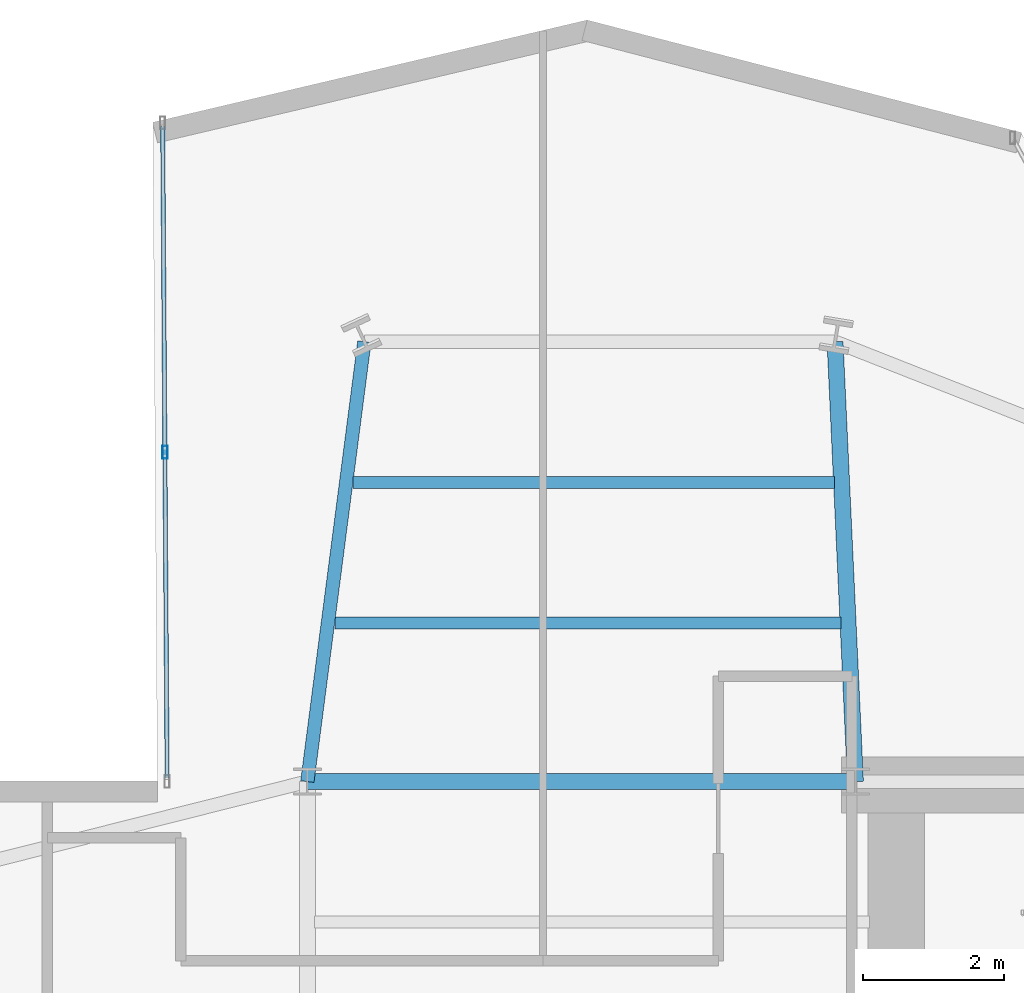
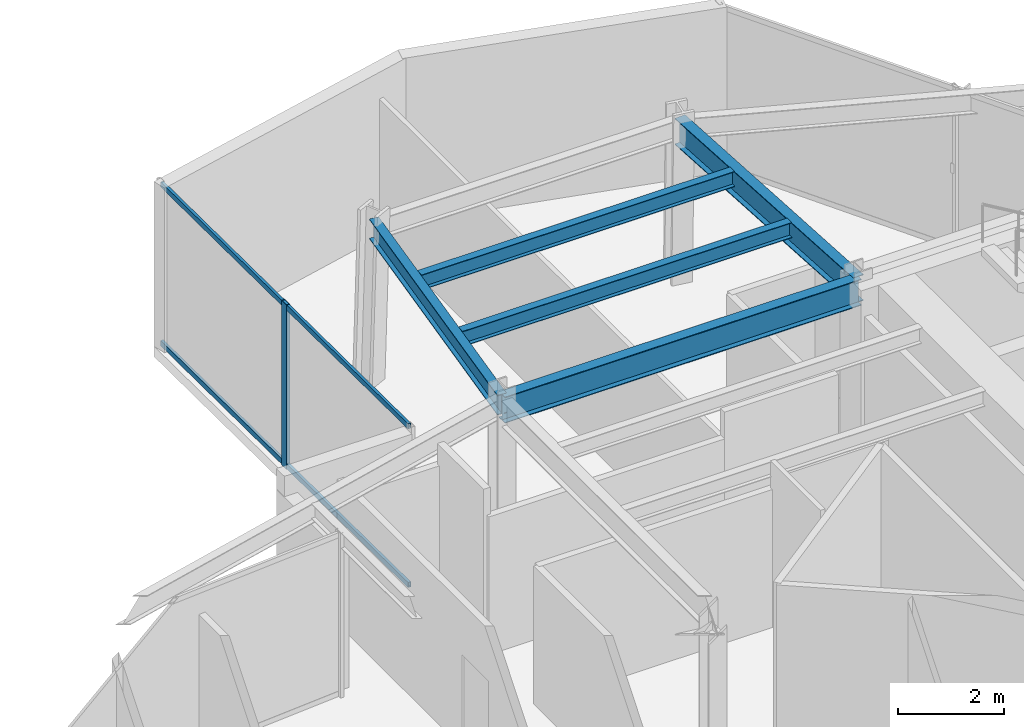
# One storey, part 12 of 26: 5 beams, 3 members, 1 element without a shape of its own.
"""IFC4 building model written with IfcOpenShell, lengths in metres."""

from ifc_helpers import new_model, si_unit, direction, frame, origin, origin_2d, place, context, subcontext, project, spatial, hollow_rectangle, i_section, extrude, material, layer, layer_set, material_profile, profile_set, type_object, element, aggregate, save


model = new_model("IFC4")

# Units and contexts
model_context = context("Model", 3, precision=1e-05, world=origin(), true_north=direction((0.0, 1.0)))
body_context = subcontext(model_context, "Body", "Model", "MODEL_VIEW")
ifc_project = project(units=[si_unit("LENGTHUNIT", "METRE"), si_unit("AREAUNIT", "SQUARE_METRE"), si_unit("VOLUMEUNIT", "CUBIC_METRE"), si_unit("PLANEANGLEUNIT", "RADIAN"), si_unit("MASSUNIT", "GRAM", prefix="KILO")], contexts=[model_context])

# Site, building, storey
site_placement = place(None, origin())
site = spatial("IfcSite", under=ifc_project, at=site_placement, CompositionType="ELEMENT")
building_placement = place(site_placement, origin())
building = spatial("IfcBuilding", under=site, at=building_placement, Name="Veymaron Broadcast Tower", CompositionType="ELEMENT")
storey_placement = place(building_placement, frame((0.0, 0.0, 157.35009765625)))
storey = spatial("IfcBuildingStorey", under=building, at=storey_placement, Name="L36", CompositionType="ELEMENT", Elevation=157.35009765625)

# Beams
ifc_material_1 = material(Name="Structural steel ASTM A992 Gr 50", Category="steel")
ifc_material_profile_1 = material_profile(ifc_material_1, i_section(OverallWidth=0.22802734375, OverallDepth=0.60791015625, WebThickness=0.01123046875, FlangeThickness=0.017333984375, at=origin_2d()), Name="W610X113")
ifc_profile_set_1 = profile_set([ifc_material_profile_1], Name="Structural steel ASTM A992 Gr 50")
beam_type_1 = type_object("IfcBeamType", Name="BM-FG2", PredefinedType="BEAM", material=ifc_profile_set_1)
beam_1_placement = place(storey_placement, frame((31.199951171875, 32.0, 3.505859375), z_axis=(1.0, 0.0, 0.0), x_axis=(0.0, 1.0, 0.0)))
element("IfcBeam", 1, at=beam_1_placement, inside=storey, type_object=beam_type_1, Name="L36 primary structural floor girder", PredefinedType="BEAM", context=body_context, shape_type="SweptSolid", body=[
    extrude(i_section(OverallWidth=0.22802734375, OverallDepth=0.60791015625, WebThickness=0.01123046875, FlangeThickness=0.017333984375, at=origin_2d()), origin(), (0.0, 0.0, 1.0), 7.800048828125),
])
beam_2_placement = place(storey_placement, frame((39.0, 32.0, 3.505859375), z_axis=(-0.046282396712, 0.998928395709, 0.0), x_axis=(-0.998928395709, -0.046282396712, 0.0)))
element("IfcBeam", 2, at=beam_2_placement, inside=storey, type_object=beam_type_1, Name="L36 primary structural floor girder", PredefinedType="BEAM", context=body_context, shape_type="SweptSolid", body=[
    extrude(i_section(OverallWidth=0.22802734375, OverallDepth=0.60791015625, WebThickness=0.01123046875, FlangeThickness=0.017333984375, at=origin_2d()), origin(), (0.0, 0.0, 1.0), 6.266845703125),
])
ifc_material_profile_2 = material_profile(ifc_material_1, i_section(OverallWidth=0.1708984375, OverallDepth=0.35498046875, WebThickness=0.007080078125, FlangeThickness=0.01171875, at=origin_2d()), Name="W360X51")
ifc_profile_set_2 = profile_set([ifc_material_profile_2], Name="Structural steel ASTM A992 Gr 50")
beam_type_2 = type_object("IfcBeamType", Name="BM-JS2", PredefinedType="JOIST", material=ifc_profile_set_2)
beam_3_placement = place(storey_placement, frame((31.59228515625, 34.253662109375, 3.63232421875), z_axis=(1.0, 0.0, 0.0), x_axis=(0.0, 1.0, 0.0)))
element("IfcBeam", 3, at=beam_3_placement, inside=storey, type_object=beam_type_2, Name="L36 Arm-B secondary joist 1", PredefinedType="JOIST", context=body_context, shape_type="SweptSolid", body=[
    extrude(i_section(OverallWidth=0.1708984375, OverallDepth=0.35498046875, WebThickness=0.007080078125, FlangeThickness=0.01171875, at=origin_2d()), origin(), (0.0, 0.0, 1.0), 7.203369140625),
])
beam_4_placement = place(storey_placement, frame((31.852294921875, 36.2568359375, 3.63232421875), z_axis=(1.0, 0.0, 0.0), x_axis=(0.0, 1.0, 0.0)))
element("IfcBeam", 4, at=beam_4_placement, inside=storey, type_object=beam_type_2, Name="L36 Arm-B secondary joist 2", PredefinedType="JOIST", context=body_context, shape_type="SweptSolid", body=[
    extrude(i_section(OverallWidth=0.1708984375, OverallDepth=0.35498046875, WebThickness=0.007080078125, FlangeThickness=0.01171875, at=origin_2d()), origin(), (0.0, 0.0, 1.0), 6.8505859375),
])
ifc_material_profile_3 = material_profile(ifc_material_1, i_section(OverallWidth=0.19091796875, OverallDepth=0.4599609375, WebThickness=0.010009765625, FlangeThickness=0.01611328125, at=origin_2d()), Name="W460X82")
ifc_profile_set_3 = profile_set([ifc_material_profile_3], Name="Structural steel ASTM A992 Gr 50")
beam_type_3 = type_object("IfcBeamType", Name="BM-SP1", PredefinedType="SPANDREL", material=ifc_profile_set_3)
beam_5_placement = place(storey_placement, frame((31.199951171875, 32.0, 3.579833984375), z_axis=(0.128636441382, 0.991691820047, 0.0), x_axis=(-0.991691820047, 0.128636441382, 0.0)))
element("IfcBeam", 5, at=beam_5_placement, inside=storey, type_object=beam_type_3, Name="L36 primary structural floor girder", PredefinedType="SPANDREL", context=body_context, shape_type="SweptSolid", body=[
    extrude(i_section(OverallWidth=0.19091796875, OverallDepth=0.4599609375, WebThickness=0.010009765625, FlangeThickness=0.01611328125, at=origin_2d()), origin(), (0.0, 0.0, 1.0), 6.3125),
])

# Curtain wall, members
ifc_material_2 = material(Name="Anodised aluminium AA 6063-T6 and laminated low-E dark glass", Category="aluminium")
ifc_layer = layer(ifc_material_2, 0.179931640625)
ifc_layer_set = layer_set([ifc_layer], Name="Anodised aluminium AA 6063-T6 and laminated low-E dark glass")
curtain_wall_type = type_object("IfcCurtainWallType", Name="CW-SYS-03", PredefinedType="NOTDEFINED", material=ifc_layer_set)
curtain_wall_placement = place(storey_placement, origin())
curtain_wall = element("IfcCurtainWall", 6, at=curtain_wall_placement, inside=storey, type_object=curtain_wall_type, Name="L36 dark-glass curtain wall CW-L36-E8-1", PredefinedType="NOTDEFINED")
ifc_material_3 = material(Name="Anodised aluminium AA 6063-T6", Category="aluminium")
ifc_material_profile_4 = material_profile(ifc_material_3, hollow_rectangle(XDim=0.074951171875, YDim=0.179931640625, WallThickness=0.0048828125, at=origin_2d()), Name="AL180X75X5")
ifc_profile_set_4 = profile_set([ifc_material_profile_4], Name="Anodised aluminium AA 6063-T6")
member_type_1 = type_object("IfcMemberType", Name="CW-MUL-02", PredefinedType="MULLION", material=ifc_profile_set_4)
member_1_placement = place(storey_placement, frame((29.173095703125, 36.6875, 0.0), z_axis=(0.0, 0.0, 1.0), x_axis=(1.0, 0.0, 0.0)))
member_1 = element("IfcMember", 7, at=member_1_placement, type_object=member_type_1, Name="CW-L36-E8-1 mullion 1", PredefinedType="MULLION", context=body_context, shape_type="SweptSolid", body=[
    extrude(hollow_rectangle(XDim=0.074951171875, YDim=0.179931640625, WallThickness=0.0048828125, at=origin_2d()), origin(), (0.0, 0.0, 1.0), 3.809814453125),
])
ifc_material_profile_5 = material_profile(ifc_material_3, hollow_rectangle(XDim=0.06005859375, YDim=0.1201171875, WallThickness=0.00390625, at=origin_2d()), Name="AL120X60X4")
ifc_profile_set_5 = profile_set([ifc_material_profile_5], Name="Anodised aluminium AA 6063-T6")
member_type_2 = type_object("IfcMemberType", Name="CW-TRN-02", PredefinedType="USERDEFINED", material=ifc_profile_set_5)
member_2_placement = place(storey_placement, frame((29.141357421875, 41.32373046875, 0.06982421875), z_axis=(0.006819040527, -0.999976750073, 0.0), x_axis=(0.999976750073, 0.006819040527, 0.0)))
member_2 = element("IfcMember", 8, at=member_2_placement, type_object=member_type_2, Name="CW-L36-E8-1 transom B", ObjectType="TRANSOM", PredefinedType="USERDEFINED", context=body_context, shape_type="SweptSolid", body=[
    extrude(hollow_rectangle(XDim=0.06005859375, YDim=0.1201171875, WallThickness=0.00390625, at=origin_2d()), origin(), (0.0, 0.0, 1.0), 9.27294921875),
])
member_3_placement = place(storey_placement, frame((29.141357421875, 41.32373046875, 3.739990234375), z_axis=(0.006819040527, -0.999976750073, 0.0), x_axis=(0.999976750073, 0.006819040527, 0.0)))
member_3 = element("IfcMember", 9, at=member_3_placement, type_object=member_type_2, Name="CW-L36-E8-1 transom T", ObjectType="TRANSOM", PredefinedType="USERDEFINED", context=body_context, shape_type="SweptSolid", body=[
    extrude(hollow_rectangle(XDim=0.06005859375, YDim=0.1201171875, WallThickness=0.00390625, at=origin_2d()), origin(), (0.0, 0.0, 1.0), 9.27294921875),
])
aggregate(curtain_wall, [member_1, member_2, member_3])

save(model, "model.ifc")
